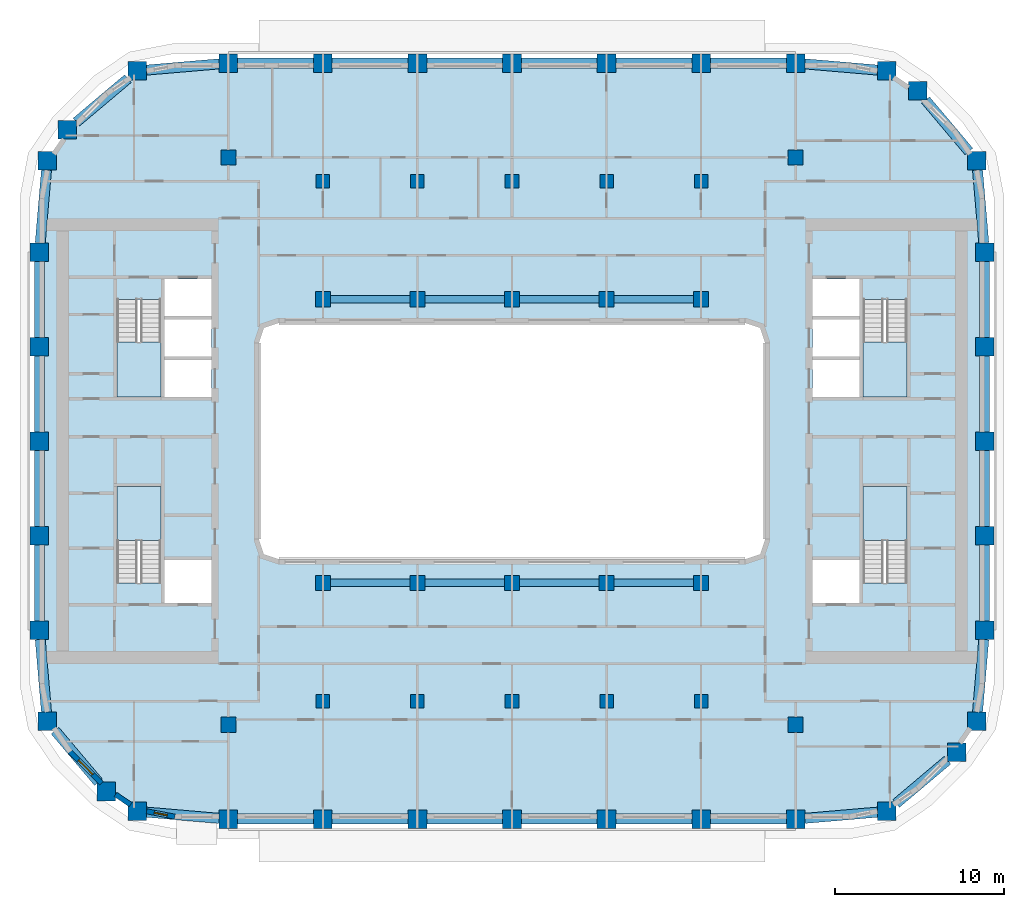
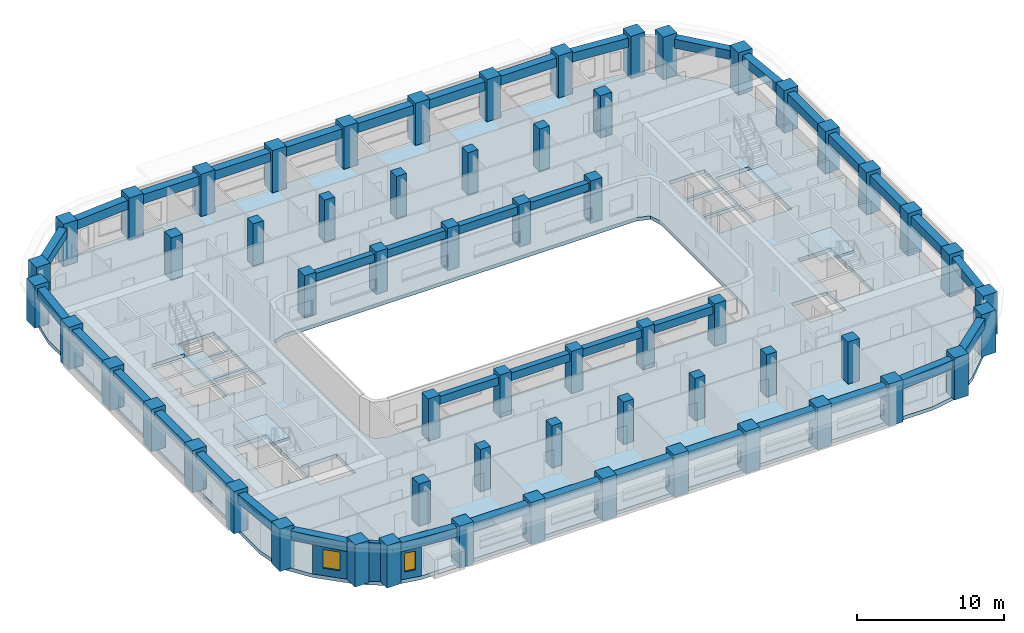
# One storey, part 1 of 22: 60 columns, 40 beams, 5 slabs, 3 walls, 2 windows, 2 openings, 4 elements without a shape of their own.
"""IFC4 building model written with IfcOpenShell, lengths in metres."""

from ifc_helpers import new_model, si_unit, direction, frame, frame_2d, origin, origin_2d, place, context, subcontext, project, spatial, polyline, rectangle, outline, extrude, material, layer, layer_set, material_profile, profile_set, type_object, element, fill, aggregate, save


model = new_model("IFC4")

# Units and contexts
model_context = context("Model", 3, precision=1e-05, world=origin(), true_north=direction((0.0, 1.0)))
body_context = subcontext(model_context, "Body", "Model", "MODEL_VIEW")
ifc_project = project(units=[si_unit("LENGTHUNIT", "METRE"), si_unit("AREAUNIT", "SQUARE_METRE"), si_unit("VOLUMEUNIT", "CUBIC_METRE"), si_unit("PLANEANGLEUNIT", "RADIAN"), si_unit("MASSUNIT", "GRAM", prefix="KILO")], contexts=[model_context])

# Site, building, storey
site_placement = place(None, origin())
site = spatial("IfcSite", under=ifc_project, at=site_placement, CompositionType="ELEMENT")
building_placement = place(site_placement, origin())
building = spatial("IfcBuilding", under=site, at=building_placement, Name="Kiln Ring Residences", CompositionType="ELEMENT")
storey_placement = place(building_placement, frame((0.0, 0.0, 146.60009765625)))
storey = spatial("IfcBuildingStorey", under=building, at=storey_placement, Name="L37", CompositionType="ELEMENT", Elevation=146.60009765625)

# Columns
ifc_material_1 = material(Name="Concrete C70/85", Category="concrete")
ifc_material_profile_1 = material_profile(ifc_material_1, rectangle(XDim=0.800048828125, YDim=0.800048828125, at=origin_2d()), Name="RC800x800")
ifc_profile_set_1 = profile_set([ifc_material_profile_1], Name="Concrete C70/85")
column_type_1 = type_object("IfcColumnType", Name="Corridor column RC800x800 C70/85", PredefinedType="COLUMN", material=ifc_profile_set_1)
for number, where, z_axis, x_axis, name in (
    (1, (-11.199951171875, 15.39990234375, 0.0), (0.0, 0.0, 1.0), (1.0, 0.0, 0.0), "Corridor column L37 1"),
    (2, (-5.60009765625, 15.39990234375, 0.0), (0.0, 0.0, 1.0), (1.0, 0.0, 0.0), "Corridor column L37 2"),
    (3, (0.0, 15.39990234375, 0.0), (0.0, 0.0, 1.0), (1.0, 0.0, 0.0), "Corridor column L37 3"),
    (4, (5.60009765625, 15.39990234375, 0.0), (0.0, 0.0, 1.0), (1.0, 0.0, 0.0), "Corridor column L37 4"),
    (5, (11.199951171875, 15.39990234375, 0.0), (0.0, 0.0, 1.0), (1.0, 0.0, 0.0), "Corridor column L37 5"),
    (6, (-11.199951171875, -15.39990234375, 0.0), (0.0, 0.0, 1.0), (1.0, 0.0, 0.0), "Corridor column L37 6"),
    (7, (-5.60009765625, -15.39990234375, 0.0), (0.0, 0.0, 1.0), (1.0, 0.0, 0.0), "Corridor column L37 7"),
    (8, (0.0, -15.39990234375, 0.0), (0.0, 0.0, 1.0), (1.0, 0.0, 0.0), "Corridor column L37 8"),
    (9, (5.60009765625, -15.39990234375, 0.0), (0.0, 0.0, 1.0), (1.0, 0.0, 0.0), "Corridor column L37 9"),
    (10, (11.199951171875, -15.39990234375, 0.0), (0.0, 0.0, 1.0), (1.0, 0.0, 0.0), "Corridor column L37 10"),
):
    element("IfcColumn", number, at=place(storey_placement, frame(where, z_axis=z_axis, x_axis=x_axis)), inside=storey, type_object=column_type_1, Name=name, PredefinedType="COLUMN", context=body_context, shape_type="SweptSolid", body=[
        extrude(rectangle(XDim=0.800048828125, YDim=0.800048828125, at=origin_2d()), origin(), (0.0, 0.0, 1.0), 3.5),
    ])
ifc_material_2 = material(Name="Concrete C70/85", Category="concrete")
ifc_material_profile_2 = material_profile(ifc_material_2, rectangle(XDim=1.10009765625, YDim=1.10009765625, at=origin_2d()), Name="RC1100x1100")
ifc_profile_set_2 = profile_set([ifc_material_profile_2], Name="Concrete C70/85")
column_type_2 = type_object("IfcColumnType", Name="Perimeter column RC1100x1100 C70/85", PredefinedType="COLUMN", material=ifc_profile_set_2)
for number, where, z_axis, x_axis, name in (
    (11, (-22.208740234375, -21.93798828125, 0.0), (0.0, 0.0, 1.0), (1.0, 0.0, 0.0), "Perimeter column L37 1"),
    (12, (-16.800048828125, -22.39990234375, 0.0), (0.0, 0.0, 1.0), (1.0, 0.0, 0.0), "Perimeter column L37 2"),
    (13, (-11.199951171875, -22.39990234375, 0.0), (0.0, 0.0, 1.0), (1.0, 0.0, 0.0), "Perimeter column L37 3"),
    (14, (-5.60009765625, -22.39990234375, 0.0), (0.0, 0.0, 1.0), (1.0, 0.0, 0.0), "Perimeter column L37 4"),
    (15, (0.0, -22.39990234375, 0.0), (0.0, 0.0, 1.0), (1.0, 0.0, 0.0), "Perimeter column L37 5"),
    (16, (5.60009765625, -22.39990234375, 0.0), (0.0, 0.0, 1.0), (1.0, 0.0, 0.0), "Perimeter column L37 6"),
    (17, (11.199951171875, -22.39990234375, 0.0), (0.0, 0.0, 1.0), (1.0, 0.0, 0.0), "Perimeter column L37 7"),
    (18, (16.800048828125, -22.39990234375, 0.0), (0.0, 0.0, 1.0), (1.0, 0.0, 0.0), "Perimeter column L37 8"),
    (19, (22.208740234375, -21.93798828125, 0.0), (0.0, 0.0, 1.0), (1.0, 0.0, 0.0), "Perimeter column L37 9"),
    (20, (26.35986328125, -18.440185546875, 0.0), (0.0, 0.0, 1.0), (1.0, 0.0, 0.0), "Perimeter column L37 10"),
    (21, (27.5380859375, -16.608642578125, 0.0), (0.0, 0.0, 1.0), (1.0, 0.0, 0.0), "Perimeter column L37 11"),
    (22, (28.0, -11.199951171875, 0.0), (0.0, 0.0, 1.0), (1.0, 0.0, 0.0), "Perimeter column L37 12"),
    (23, (28.0, -5.60009765625, 0.0), (0.0, 0.0, 1.0), (1.0, 0.0, 0.0), "Perimeter column L37 13"),
    (24, (28.0, 0.0, 0.0), (0.0, 0.0, 1.0), (1.0, 0.0, 0.0), "Perimeter column L37 14"),
    (25, (28.0, 5.60009765625, 0.0), (0.0, 0.0, 1.0), (1.0, 0.0, 0.0), "Perimeter column L37 15"),
    (26, (28.0, 11.199951171875, 0.0), (0.0, 0.0, 1.0), (1.0, 0.0, 0.0), "Perimeter column L37 16"),
    (27, (27.5380859375, 16.608642578125, 0.0), (0.0, 0.0, 1.0), (1.0, 0.0, 0.0), "Perimeter column L37 17"),
    (28, (24.040283203125, 20.759765625, 0.0), (0.0, 0.0, 1.0), (1.0, 0.0, 0.0), "Perimeter column L37 18"),
    (29, (22.208740234375, 21.93798828125, 0.0), (0.0, 0.0, 1.0), (1.0, 0.0, 0.0), "Perimeter column L37 19"),
    (30, (16.800048828125, 22.39990234375, 0.0), (0.0, 0.0, 1.0), (1.0, 0.0, 0.0), "Perimeter column L37 20"),
    (31, (11.199951171875, 22.39990234375, 0.0), (0.0, 0.0, 1.0), (1.0, 0.0, 0.0), "Perimeter column L37 21"),
    (32, (5.60009765625, 22.39990234375, 0.0), (0.0, 0.0, 1.0), (1.0, 0.0, 0.0), "Perimeter column L37 22"),
    (33, (0.0, 22.39990234375, 0.0), (0.0, 0.0, 1.0), (1.0, 0.0, 0.0), "Perimeter column L37 23"),
    (34, (-5.60009765625, 22.39990234375, 0.0), (0.0, 0.0, 1.0), (1.0, 0.0, 0.0), "Perimeter column L37 24"),
    (35, (-11.199951171875, 22.39990234375, 0.0), (0.0, 0.0, 1.0), (1.0, 0.0, 0.0), "Perimeter column L37 25"),
    (36, (-16.800048828125, 22.39990234375, 0.0), (0.0, 0.0, 1.0), (1.0, 0.0, 0.0), "Perimeter column L37 26"),
    (37, (-22.208740234375, 21.93798828125, 0.0), (0.0, 0.0, 1.0), (1.0, 0.0, 0.0), "Perimeter column L37 27"),
    (38, (-26.35986328125, 18.440185546875, 0.0), (0.0, 0.0, 1.0), (1.0, 0.0, 0.0), "Perimeter column L37 28"),
    (39, (-27.5380859375, 16.608642578125, 0.0), (0.0, 0.0, 1.0), (1.0, 0.0, 0.0), "Perimeter column L37 29"),
    (40, (-28.0, 11.199951171875, 0.0), (0.0, 0.0, 1.0), (1.0, 0.0, 0.0), "Perimeter column L37 30"),
    (41, (-28.0, 5.60009765625, 0.0), (0.0, 0.0, 1.0), (1.0, 0.0, 0.0), "Perimeter column L37 31"),
    (42, (-28.0, 0.0, 0.0), (0.0, 0.0, 1.0), (1.0, 0.0, 0.0), "Perimeter column L37 32"),
    (43, (-28.0, -5.60009765625, 0.0), (0.0, 0.0, 1.0), (1.0, 0.0, 0.0), "Perimeter column L37 33"),
    (44, (-28.0, -11.199951171875, 0.0), (0.0, 0.0, 1.0), (1.0, 0.0, 0.0), "Perimeter column L37 34"),
    (45, (-27.5380859375, -16.608642578125, 0.0), (0.0, 0.0, 1.0), (1.0, 0.0, 0.0), "Perimeter column L37 35"),
    (46, (-24.040283203125, -20.759765625, 0.0), (0.0, 0.0, 1.0), (1.0, 0.0, 0.0), "Perimeter column L37 36"),
):
    element("IfcColumn", number, at=place(storey_placement, frame(where, z_axis=z_axis, x_axis=x_axis)), inside=storey, type_object=column_type_2, Name=name, PredefinedType="COLUMN", context=body_context, shape_type="SweptSolid", body=[
        extrude(rectangle(XDim=1.10009765625, YDim=1.10009765625, at=origin_2d()), origin(), (0.0, 0.0, 1.0), 3.5),
    ])
ifc_material_3 = material(Name="Concrete C70/85", Category="concrete")
ifc_material_profile_3 = material_profile(ifc_material_3, rectangle(XDim=0.89990234375, YDim=0.89990234375, at=origin_2d()), Name="RC900x900")
ifc_profile_set_3 = profile_set([ifc_material_profile_3], Name="Concrete C70/85")
column_type_3 = type_object("IfcColumnType", Name="Ring column RC900x900 C70/85", PredefinedType="COLUMN", material=ifc_profile_set_3)
for number, where, z_axis, x_axis, name in (
    (47, (-16.800048828125, -16.800048828125, 0.0), (0.0, 0.0, 1.0), (1.0, 0.0, 0.0), "Ring column L37 1"),
    (48, (-16.800048828125, 16.800048828125, 0.0), (0.0, 0.0, 1.0), (1.0, 0.0, 0.0), "Ring column L37 2"),
    (49, (-11.199951171875, -8.39990234375, 0.0), (0.0, 0.0, 1.0), (1.0, 0.0, 0.0), "Ring column L37 3"),
    (50, (-11.199951171875, 8.39990234375, 0.0), (0.0, 0.0, 1.0), (1.0, 0.0, 0.0), "Ring column L37 4"),
    (51, (-5.60009765625, -8.39990234375, 0.0), (0.0, 0.0, 1.0), (1.0, 0.0, 0.0), "Ring column L37 5"),
    (52, (-5.60009765625, 8.39990234375, 0.0), (0.0, 0.0, 1.0), (1.0, 0.0, 0.0), "Ring column L37 6"),
    (53, (0.0, -8.39990234375, 0.0), (0.0, 0.0, 1.0), (1.0, 0.0, 0.0), "Ring column L37 7"),
    (54, (0.0, 8.39990234375, 0.0), (0.0, 0.0, 1.0), (1.0, 0.0, 0.0), "Ring column L37 8"),
    (55, (5.60009765625, -8.39990234375, 0.0), (0.0, 0.0, 1.0), (1.0, 0.0, 0.0), "Ring column L37 9"),
    (56, (5.60009765625, 8.39990234375, 0.0), (0.0, 0.0, 1.0), (1.0, 0.0, 0.0), "Ring column L37 10"),
    (57, (11.199951171875, -8.39990234375, 0.0), (0.0, 0.0, 1.0), (1.0, 0.0, 0.0), "Ring column L37 11"),
    (58, (11.199951171875, 8.39990234375, 0.0), (0.0, 0.0, 1.0), (1.0, 0.0, 0.0), "Ring column L37 12"),
    (59, (16.800048828125, -16.800048828125, 0.0), (0.0, 0.0, 1.0), (1.0, 0.0, 0.0), "Ring column L37 13"),
    (60, (16.800048828125, 16.800048828125, 0.0), (0.0, 0.0, 1.0), (1.0, 0.0, 0.0), "Ring column L37 14"),
):
    element("IfcColumn", number, at=place(storey_placement, frame(where, z_axis=z_axis, x_axis=x_axis)), inside=storey, type_object=column_type_3, Name=name, PredefinedType="COLUMN", context=body_context, shape_type="SweptSolid", body=[
        extrude(rectangle(XDim=0.89990234375, YDim=0.89990234375, at=origin_2d()), origin(), (0.0, 0.0, 1.0), 3.5),
    ])

# Beams
ifc_material_4 = material(Name="Concrete C50/60", Category="concrete")
ifc_material_profile_4 = material_profile(ifc_material_4, rectangle(XDim=0.449951171875, YDim=0.64990234375, at=origin_2d()), Name="RC450x650")
ifc_profile_set_4 = profile_set([ifc_material_profile_4], Name="Concrete C50/60")
beam_type_1 = type_object("IfcBeamType", Name="Ring beam RC450x650 C50/60", PredefinedType="BEAM", material=ifc_profile_set_4)
for number, where, z_axis, x_axis, name in (
    (61, (-10.75, -8.39990234375, 2.875), (1.0, 0.0, 0.0), (0.0, 1.0, 0.0), "Ring beam L37 1"),
    (62, (-5.14990234375, -8.39990234375, 2.875), (1.0, 0.0, 0.0), (0.0, 1.0, 0.0), "Ring beam L37 2"),
    (63, (0.449951171875, -8.39990234375, 2.875), (1.0, 0.0, 0.0), (0.0, 1.0, 0.0), "Ring beam L37 3"),
    (64, (6.050048828125, -8.39990234375, 2.875), (1.0, 0.0, 0.0), (0.0, 1.0, 0.0), "Ring beam L37 4"),
    (65, (-10.75, 8.39990234375, 2.875), (1.0, 0.0, 0.0), (0.0, 1.0, 0.0), "Ring beam L37 5"),
    (66, (-5.14990234375, 8.39990234375, 2.875), (1.0, 0.0, 0.0), (0.0, 1.0, 0.0), "Ring beam L37 6"),
    (67, (0.449951171875, 8.39990234375, 2.875), (1.0, 0.0, 0.0), (0.0, 1.0, 0.0), "Ring beam L37 7"),
    (68, (6.050048828125, 8.39990234375, 2.875), (1.0, 0.0, 0.0), (0.0, 1.0, 0.0), "Ring beam L37 8"),
):
    element("IfcBeam", number, at=place(storey_placement, frame(where, z_axis=z_axis, x_axis=x_axis)), inside=storey, type_object=beam_type_1, Name=name, PredefinedType="BEAM", context=body_context, shape_type="SweptSolid", body=[
        extrude(rectangle(XDim=0.449951171875, YDim=0.64990234375, at=origin_2d()), origin(), (0.0, 0.0, 1.0), 4.699951171875),
    ])
ifc_material_5 = material(Name="Concrete C50/60", Category="concrete")
ifc_material_profile_5 = material_profile(ifc_material_5, rectangle(XDim=0.60009765625, YDim=0.75, at=origin_2d()), Name="RC600x750")
ifc_profile_set_5 = profile_set([ifc_material_profile_5], Name="Concrete C50/60")
beam_type_2 = type_object("IfcBeamType", Name="Spandrel beam RC600x750 C50/60", PredefinedType="SPANDREL", material=ifc_profile_set_5)
beam_1_placement = place(storey_placement, frame((-21.65869140625, -21.985107421875, 2.824951171875), z_axis=(0.996373912127, -0.085082473117, 0.0), x_axis=(0.085082473117, 0.996373912127, 0.0)))
element("IfcBeam", 69, at=beam_1_placement, inside=storey, type_object=beam_type_2, Name="Spandrel beam L37 1", PredefinedType="SPANDREL", context=body_context, shape_type="SweptSolid", body=[
    extrude(rectangle(XDim=0.60009765625, YDim=0.75, at=origin_2d()), origin(), (0.0, 0.0, 1.0), 4.32421875),
])
for number, where, z_axis, x_axis, name in (
    (70, (-16.25, -22.39990234375, 2.824951171875), (1.0, 0.0, 0.0), (0.0, 1.0, 0.0), "Spandrel beam L37 2"),
    (71, (-10.64990234375, -22.39990234375, 2.824951171875), (1.0, 0.0, 0.0), (0.0, 1.0, 0.0), "Spandrel beam L37 3"),
    (72, (-5.050048828125, -22.39990234375, 2.824951171875), (1.0, 0.0, 0.0), (0.0, 1.0, 0.0), "Spandrel beam L37 4"),
    (73, (0.550048828125, -22.39990234375, 2.824951171875), (1.0, 0.0, 0.0), (0.0, 1.0, 0.0), "Spandrel beam L37 5"),
    (74, (6.14990234375, -22.39990234375, 2.824951171875), (1.0, 0.0, 0.0), (0.0, 1.0, 0.0), "Spandrel beam L37 6"),
    (75, (11.75, -22.39990234375, 2.824951171875), (1.0, 0.0, 0.0), (0.0, 1.0, 0.0), "Spandrel beam L37 7"),
):
    element("IfcBeam", number, at=place(storey_placement, frame(where, z_axis=z_axis, x_axis=x_axis)), inside=storey, type_object=beam_type_2, Name=name, PredefinedType="SPANDREL", context=body_context, shape_type="SweptSolid", body=[
        extrude(rectangle(XDim=0.60009765625, YDim=0.75, at=origin_2d()), origin(), (0.0, 0.0, 1.0), 4.5),
    ])
beam_2_placement = place(storey_placement, frame((17.35009765625, -22.35302734375, 2.824951171875), z_axis=(0.996373912127, 0.085082473117, 0.0), x_axis=(-0.085082473117, 0.996373912127, 0.0)))
element("IfcBeam", 76, at=beam_2_placement, inside=storey, type_object=beam_type_2, Name="Spandrel beam L37 8", PredefinedType="SPANDREL", context=body_context, shape_type="SweptSolid", body=[
    extrude(rectangle(XDim=0.60009765625, YDim=0.75, at=origin_2d()), origin(), (0.0, 0.0, 1.0), 4.32421875),
])
beam_3_placement = place(storey_placement, frame((22.7587890625, -21.474609375, 2.824951171875), z_axis=(0.764693765756, 0.6443938583, 0.0), x_axis=(-0.6443938583, 0.764693765756, 0.0)))
element("IfcBeam", 77, at=beam_3_placement, inside=storey, type_object=beam_type_2, Name="Spandrel beam L37 9", PredefinedType="SPANDREL", context=body_context, shape_type="SweptSolid", body=[
    extrude(rectangle(XDim=0.60009765625, YDim=0.75, at=origin_2d()), origin(), (0.0, 0.0, 1.0), 3.98974609375),
])
beam_4_placement = place(storey_placement, frame((27.5849609375, -16.05859375, 2.824951171875), z_axis=(0.085138522188, 0.996369124391, 0.0), x_axis=(-0.996369124391, 0.085138522188, 0.0)))
element("IfcBeam", 78, at=beam_4_placement, inside=storey, type_object=beam_type_2, Name="Spandrel beam L37 10", PredefinedType="SPANDREL", context=body_context, shape_type="SweptSolid", body=[
    extrude(rectangle(XDim=0.60009765625, YDim=0.75, at=origin_2d()), origin(), (0.0, 0.0, 1.0), 4.32421875),
])
for number, where, z_axis, x_axis, name in (
    (79, (28.0, -10.64990234375, 2.824951171875), (0.0, 1.0, 0.0), (-1.0, 0.0, 0.0), "Spandrel beam L37 11"),
    (80, (28.0, -5.050048828125, 2.824951171875), (0.0, 1.0, 0.0), (-1.0, 0.0, 0.0), "Spandrel beam L37 12"),
    (81, (28.0, 0.550048828125, 2.824951171875), (0.0, 1.0, 0.0), (-1.0, 0.0, 0.0), "Spandrel beam L37 13"),
    (82, (28.0, 6.14990234375, 2.824951171875), (0.0, 1.0, 0.0), (-1.0, 0.0, 0.0), "Spandrel beam L37 14"),
):
    element("IfcBeam", number, at=place(storey_placement, frame(where, z_axis=z_axis, x_axis=x_axis)), inside=storey, type_object=beam_type_2, Name=name, PredefinedType="SPANDREL", context=body_context, shape_type="SweptSolid", body=[
        extrude(rectangle(XDim=0.60009765625, YDim=0.75, at=origin_2d()), origin(), (0.0, 0.0, 1.0), 4.5),
    ])
beam_5_placement = place(storey_placement, frame((27.953125, 11.75, 2.824951171875), z_axis=(-0.085138522188, 0.996369124391, 0.0), x_axis=(-0.996369124391, -0.085138522188, 0.0)))
element("IfcBeam", 83, at=beam_5_placement, inside=storey, type_object=beam_type_2, Name="Spandrel beam L37 15", PredefinedType="SPANDREL", context=body_context, shape_type="SweptSolid", body=[
    extrude(rectangle(XDim=0.60009765625, YDim=0.75, at=origin_2d()), origin(), (0.0, 0.0, 1.0), 4.32421875),
])
beam_6_placement = place(storey_placement, frame((27.07470703125, 17.15869140625, 2.824951171875), z_axis=(-0.6443938583, 0.764693765756, 0.0), x_axis=(-0.764693765756, -0.6443938583, 0.0)))
element("IfcBeam", 84, at=beam_6_placement, inside=storey, type_object=beam_type_2, Name="Spandrel beam L37 16", PredefinedType="SPANDREL", context=body_context, shape_type="SweptSolid", body=[
    extrude(rectangle(XDim=0.60009765625, YDim=0.75, at=origin_2d()), origin(), (0.0, 0.0, 1.0), 3.98974609375),
])
beam_7_placement = place(storey_placement, frame((21.65869140625, 21.985107421875, 2.824951171875), z_axis=(-0.996373912127, 0.085082473117, 0.0), x_axis=(-0.085082473117, -0.996373912127, 0.0)))
element("IfcBeam", 85, at=beam_7_placement, inside=storey, type_object=beam_type_2, Name="Spandrel beam L37 17", PredefinedType="SPANDREL", context=body_context, shape_type="SweptSolid", body=[
    extrude(rectangle(XDim=0.60009765625, YDim=0.75, at=origin_2d()), origin(), (0.0, 0.0, 1.0), 4.32421875),
])
for number, where, z_axis, x_axis, name in (
    (86, (16.25, 22.39990234375, 2.824951171875), (-1.0, 0.0, 0.0), (0.0, -1.0, 0.0), "Spandrel beam L37 18"),
    (87, (10.64990234375, 22.39990234375, 2.824951171875), (-1.0, 0.0, 0.0), (0.0, -1.0, 0.0), "Spandrel beam L37 19"),
    (88, (5.050048828125, 22.39990234375, 2.824951171875), (-1.0, 0.0, 0.0), (0.0, -1.0, 0.0), "Spandrel beam L37 20"),
    (89, (-0.550048828125, 22.39990234375, 2.824951171875), (-1.0, 0.0, 0.0), (0.0, -1.0, 0.0), "Spandrel beam L37 21"),
    (90, (-6.14990234375, 22.39990234375, 2.824951171875), (-1.0, 0.0, 0.0), (0.0, -1.0, 0.0), "Spandrel beam L37 22"),
    (91, (-11.75, 22.39990234375, 2.824951171875), (-1.0, 0.0, 0.0), (0.0, -1.0, 0.0), "Spandrel beam L37 23"),
):
    element("IfcBeam", number, at=place(storey_placement, frame(where, z_axis=z_axis, x_axis=x_axis)), inside=storey, type_object=beam_type_2, Name=name, PredefinedType="SPANDREL", context=body_context, shape_type="SweptSolid", body=[
        extrude(rectangle(XDim=0.60009765625, YDim=0.75, at=origin_2d()), origin(), (0.0, 0.0, 1.0), 4.5),
    ])
beam_8_placement = place(storey_placement, frame((-17.35009765625, 22.35302734375, 2.824951171875), z_axis=(-0.996373912127, -0.085082473117, 0.0), x_axis=(0.085082473117, -0.996373912127, 0.0)))
element("IfcBeam", 92, at=beam_8_placement, inside=storey, type_object=beam_type_2, Name="Spandrel beam L37 24", PredefinedType="SPANDREL", context=body_context, shape_type="SweptSolid", body=[
    extrude(rectangle(XDim=0.60009765625, YDim=0.75, at=origin_2d()), origin(), (0.0, 0.0, 1.0), 4.32421875),
])
beam_9_placement = place(storey_placement, frame((-22.7587890625, 21.474609375, 2.824951171875), z_axis=(-0.764693765756, -0.6443938583, 0.0), x_axis=(0.6443938583, -0.764693765756, 0.0)))
element("IfcBeam", 93, at=beam_9_placement, inside=storey, type_object=beam_type_2, Name="Spandrel beam L37 25", PredefinedType="SPANDREL", context=body_context, shape_type="SweptSolid", body=[
    extrude(rectangle(XDim=0.60009765625, YDim=0.75, at=origin_2d()), origin(), (0.0, 0.0, 1.0), 3.98974609375),
])
beam_10_placement = place(storey_placement, frame((-27.5849609375, 16.05859375, 2.824951171875), z_axis=(-0.085138522188, -0.996369124391, 0.0), x_axis=(0.996369124391, -0.085138522188, 0.0)))
element("IfcBeam", 94, at=beam_10_placement, inside=storey, type_object=beam_type_2, Name="Spandrel beam L37 26", PredefinedType="SPANDREL", context=body_context, shape_type="SweptSolid", body=[
    extrude(rectangle(XDim=0.60009765625, YDim=0.75, at=origin_2d()), origin(), (0.0, 0.0, 1.0), 4.32421875),
])
for number, where, z_axis, x_axis, name in (
    (95, (-28.0, 10.64990234375, 2.824951171875), (0.0, -1.0, 0.0), (1.0, 0.0, 0.0), "Spandrel beam L37 27"),
    (96, (-28.0, 5.050048828125, 2.824951171875), (0.0, -1.0, 0.0), (1.0, 0.0, 0.0), "Spandrel beam L37 28"),
    (97, (-28.0, -0.550048828125, 2.824951171875), (0.0, -1.0, 0.0), (1.0, 0.0, 0.0), "Spandrel beam L37 29"),
    (98, (-28.0, -6.14990234375, 2.824951171875), (0.0, -1.0, 0.0), (1.0, 0.0, 0.0), "Spandrel beam L37 30"),
):
    element("IfcBeam", number, at=place(storey_placement, frame(where, z_axis=z_axis, x_axis=x_axis)), inside=storey, type_object=beam_type_2, Name=name, PredefinedType="SPANDREL", context=body_context, shape_type="SweptSolid", body=[
        extrude(rectangle(XDim=0.60009765625, YDim=0.75, at=origin_2d()), origin(), (0.0, 0.0, 1.0), 4.5),
    ])
beam_11_placement = place(storey_placement, frame((-27.953125, -11.75, 2.824951171875), z_axis=(0.085138522188, -0.996369124391, 0.0), x_axis=(0.996369124391, 0.085138522188, 0.0)))
element("IfcBeam", 99, at=beam_11_placement, inside=storey, type_object=beam_type_2, Name="Spandrel beam L37 31", PredefinedType="SPANDREL", context=body_context, shape_type="SweptSolid", body=[
    extrude(rectangle(XDim=0.60009765625, YDim=0.75, at=origin_2d()), origin(), (0.0, 0.0, 1.0), 4.32421875),
])
beam_12_placement = place(storey_placement, frame((-27.07470703125, -17.15869140625, 2.824951171875), z_axis=(0.6443938583, -0.764693765756, 0.0), x_axis=(0.764693765756, 0.6443938583, 0.0)))
element("IfcBeam", 100, at=beam_12_placement, inside=storey, type_object=beam_type_2, Name="Spandrel beam L37 32", PredefinedType="SPANDREL", context=body_context, shape_type="SweptSolid", body=[
    extrude(rectangle(XDim=0.60009765625, YDim=0.75, at=origin_2d()), origin(), (0.0, 0.0, 1.0), 3.98974609375),
])

# Stair, slab
ifc_material_6 = material(Name="Concrete C40/50", Category="concrete")
stair_type = type_object("IfcStairType", Name="CORE-STAIR", PredefinedType="HALF_TURN_STAIR", material=ifc_material_6)
placement_1 = place(storey_placement, origin())
stair_1 = element("IfcStair", 101, at=placement_1, inside=storey, type_object=stair_type, Name="L37 stair W-STN", PredefinedType="HALF_TURN_STAIR")
ifc_material_7 = material(Name="Concrete C40/50", Category="concrete")
ifc_layer_1 = layer(ifc_material_7, 0.199951171875)
ifc_layer_set_1 = layer_set([ifc_layer_1], Name="CORE-STAIR-LANDING")
slab_type_1 = type_object("IfcSlabType", Name="CORE-STAIR-LANDING", PredefinedType="LANDING", material=ifc_layer_set_1)
placement_2 = place(storey_placement, frame((0.0, 0.0, 1.5498046875)))
slab_1 = element("IfcSlab", 102, at=placement_2, type_object=slab_type_1, Name="W-STN landing 1", PredefinedType="LANDING", context=body_context, shape_type="SweptSolid", body=[
    extrude(outline(polyline([(-23.39990234375, 5.8798828125), (-23.39990234375, 2.60009765625), (-20.800048828125, 2.60009765625), (-20.800048828125, 5.8798828125), (-23.39990234375, 5.8798828125)])), origin(), (0.0, 0.0, 1.0), 0.2001953125),
])
aggregate(stair_1, [slab_1])

stair_2 = element("IfcStair", 103, at=placement_1, inside=storey, type_object=stair_type, Name="L37 stair W-STS", PredefinedType="HALF_TURN_STAIR")
slab_2 = element("IfcSlab", 104, at=placement_2, type_object=slab_type_1, Name="W-STS landing 1", PredefinedType="LANDING", context=body_context, shape_type="SweptSolid", body=[
    extrude(outline(polyline([(-20.800048828125, -5.8798828125), (-20.800048828125, -2.699951171875), (-23.39990234375, -2.699951171875), (-23.39990234375, -5.8798828125), (-20.800048828125, -5.8798828125)])), origin(), (0.0, 0.0, 1.0), 0.2001953125),
])
aggregate(stair_2, [slab_2])

stair_3 = element("IfcStair", 105, at=placement_1, inside=storey, type_object=stair_type, Name="L37 stair E-STN", PredefinedType="HALF_TURN_STAIR")
slab_3 = element("IfcSlab", 106, at=placement_2, type_object=slab_type_1, Name="E-STN landing 1", PredefinedType="LANDING", context=body_context, shape_type="SweptSolid", body=[
    extrude(outline(polyline([(20.800048828125, 5.8798828125), (20.800048828125, 2.60009765625), (23.39990234375, 2.60009765625), (23.39990234375, 5.8798828125), (20.800048828125, 5.8798828125)])), origin(), (0.0, 0.0, 1.0), 0.2001953125),
])
aggregate(stair_3, [slab_3])

stair_4 = element("IfcStair", 107, at=placement_1, inside=storey, type_object=stair_type, Name="L37 stair E-STS", PredefinedType="HALF_TURN_STAIR")
slab_4 = element("IfcSlab", 108, at=placement_2, type_object=slab_type_1, Name="E-STS landing 1", PredefinedType="LANDING", context=body_context, shape_type="SweptSolid", body=[
    extrude(outline(polyline([(23.39990234375, -5.8798828125), (23.39990234375, -2.699951171875), (20.800048828125, -2.699951171875), (20.800048828125, -5.8798828125), (23.39990234375, -5.8798828125)])), origin(), (0.0, 0.0, 1.0), 0.2001953125),
])
aggregate(stair_4, [slab_4])

# Slab
ifc_material_8 = material(Name="Concrete C40/50", Category="concrete")
ifc_layer_2 = layer(ifc_material_8, 0.300048828125)
ifc_layer_set_2 = layer_set([ifc_layer_2], Name="Floor slab 300")
slab_type_2 = type_object("IfcSlabType", Name="Floor slab 300", PredefinedType="FLOOR", material=ifc_layer_set_2)
slab_5_placement = place(storey_placement, frame((0.0, 0.0, -0.300048828125)))
element("IfcSlab", 109, at=slab_5_placement, inside=storey, type_object=slab_type_2, Name="Floor slab L37 1", PredefinedType="FLOOR", context=body_context, shape_type="SweptSolid", body=[
    extrude(outline(polyline([(-26.302978515625, -18.4970703125), (-24.09716796875, -20.702880859375), (-22.224365234375, -21.975830078125), (-20.0, -22.39990234375), (20.0, -22.39990234375), (22.224365234375, -21.975830078125), (24.09716796875, -20.702880859375), (26.302978515625, -18.4970703125), (27.57568359375, -16.624267578125), (28.0, -14.39990234375), (28.0, 14.39990234375), (27.57568359375, 16.624267578125), (26.302978515625, 18.4970703125), (24.09716796875, 20.702880859375), (22.224365234375, 21.975830078125), (20.0, 22.39990234375), (-20.0, 22.39990234375), (-22.224365234375, 21.975830078125), (-24.09716796875, 20.702880859375), (-26.302978515625, 18.4970703125), (-27.57568359375, 16.624267578125), (-28.0, 14.39990234375), (-28.0, -14.39990234375), (-27.57568359375, -16.624267578125), (-26.302978515625, -18.4970703125)]), holes=[polyline([(-14.699951171875, -6.699951171875), (-15.0, -5.800048828125), (-15.0, 5.800048828125), (-14.699951171875, 6.699951171875), (-13.800048828125, 7.0), (13.800048828125, 7.0), (14.699951171875, 6.699951171875), (15.0, 5.800048828125), (15.0, -5.800048828125), (14.699951171875, -6.699951171875), (13.800048828125, -7.0), (-13.800048828125, -7.0), (-14.699951171875, -6.699951171875)]), polyline([(20.800048828125, -8.39794921875), (20.800048828125, -2.699951171875), (23.39990234375, -2.699951171875), (23.39990234375, -8.39794921875), (20.800048828125, -8.39794921875)]), polyline([(23.39990234375, 2.60009765625), (20.800048828125, 2.60009765625), (20.800048828125, 8.39794921875), (23.39990234375, 8.39794921875), (23.39990234375, 2.60009765625)]), polyline([(17.800048828125, 2.60009765625), (17.800048828125, 4.800048828125), (20.60009765625, 4.800048828125), (20.60009765625, 2.60009765625), (17.800048828125, 2.60009765625)]), polyline([(17.800048828125, 5.0), (17.800048828125, 7.199951171875), (20.60009765625, 7.199951171875), (20.60009765625, 5.0), (17.800048828125, 5.0)]), polyline([(17.800048828125, 7.39990234375), (17.800048828125, 9.60009765625), (20.60009765625, 9.60009765625), (20.60009765625, 7.39990234375), (17.800048828125, 7.39990234375)]), polyline([(20.60009765625, -9.60009765625), (17.800048828125, -9.60009765625), (17.800048828125, -7.050048828125), (20.60009765625, -7.050048828125), (20.60009765625, -9.60009765625)]), polyline([(-17.800048828125, -7.050048828125), (-17.800048828125, -9.60009765625), (-20.60009765625, -9.60009765625), (-20.60009765625, -7.050048828125), (-17.800048828125, -7.050048828125)]), polyline([(-17.800048828125, 2.60009765625), (-20.60009765625, 2.60009765625), (-20.60009765625, 4.800048828125), (-17.800048828125, 4.800048828125), (-17.800048828125, 2.60009765625)]), polyline([(-17.800048828125, 5.0), (-20.60009765625, 5.0), (-20.60009765625, 7.199951171875), (-17.800048828125, 7.199951171875), (-17.800048828125, 5.0)]), polyline([(-17.800048828125, 7.39990234375), (-20.60009765625, 7.39990234375), (-20.60009765625, 9.60009765625), (-17.800048828125, 9.60009765625), (-17.800048828125, 7.39990234375)]), polyline([(-20.800048828125, -8.39794921875), (-23.39990234375, -8.39794921875), (-23.39990234375, -2.699951171875), (-20.800048828125, -2.699951171875), (-20.800048828125, -8.39794921875)]), polyline([(-20.800048828125, 8.39794921875), (-20.800048828125, 2.60009765625), (-23.39990234375, 2.60009765625), (-23.39990234375, 8.39794921875), (-20.800048828125, 8.39794921875)])]), origin(), (0.0, 0.0, 1.0), 0.300048828125),
])

# Wall, opening, window
ifc_material_9 = material(Name="Brick masonry, dark clay brick", Category="masonry")
ifc_layer_3 = layer(ifc_material_9, 0.300048828125)
ifc_layer_set_3 = layer_set([ifc_layer_3], Name="EW-300 BRICK WALL")
wall_type = type_object("IfcWallType", Name="EW-300 BRICK WALL", PredefinedType="SOLIDWALL", material=ifc_layer_set_3)
wall_1_placement = place(storey_placement, frame((-26.19677734375, -18.390869140625, 0.0), z_axis=(0.0, 0.0, 1.0), x_axis=(0.707060717099, -0.707152842274, 0.0)))
wall_1 = element("IfcWall", 110, at=wall_1_placement, inside=storey, type_object=wall_type, Name="Facade wall L37 1", PredefinedType="SOLIDWALL", context=body_context, shape_type="SweptSolid", body=[
    extrude(rectangle(XDim=2.650146484375, YDim=0.300048828125, at=frame_2d((1.3251953125, 0.0))), origin(), (0.0, 0.0, 1.0), 2.449951171875),
])
opening_1_placement = place(wall_1_placement, frame((0.72509765625, 0.0, 0.60009765625)))
opening_1 = element("IfcOpeningElement", 111, at=opening_1_placement, cuts=wall_1, Name="Opening W1", PredefinedType="OPENING", context=body_context, shape_type="SweptSolid", body=[
    extrude(rectangle(XDim=1.199951171875, YDim=1.550048828125, at=frame_2d((0.60009765625, 0.77490234375))), frame((0.0, 0.159912109375, 0.0), z_axis=(0.0, -1.0, 0.0), x_axis=(1.0, 0.0, 0.0)), (0.0, 0.0, 1.0), 0.320068359375),
])
ifc_material_10 = material(Name="Aluminium frame with double glazing", Category="aluminium")
window_type_1 = type_object("IfcWindowType", Name="WINDOW 1200 x 1550", PartitioningType="SINGLE_PANEL", PredefinedType="WINDOW", material=ifc_material_10)
window_1_placement = place(opening_1_placement, origin())
window_1 = element("IfcWindow", 112, at=window_1_placement, inside=storey, type_object=window_type_1, Name="Window L37 1", OverallHeight=1.550048828125, OverallWidth=1.199951171875, PartitioningType="SINGLE_PANEL", PredefinedType="WINDOW", context=body_context, shape_type="SweptSolid", body=[
    extrude(rectangle(XDim=1.199951171875, YDim=1.550048828125, at=frame_2d((0.60009765625, 0.77490234375))), frame((0.0, 0.030029296875, 0.0), z_axis=(0.0, -1.0, 0.0), x_axis=(1.0, 0.0, 0.0)), (0.0, 0.0, 1.0), 0.06005859375),
])
fill(opening_1, window_1)

# Wall
wall_2_placement = place(storey_placement, frame((-23.492431640625, -20.932373046875, 0.0), z_axis=(0.0, 0.0, 1.0), x_axis=(0.826993959827, -0.562210806023, 0.0)))
element("IfcWall", 113, at=wall_2_placement, inside=storey, type_object=wall_type, Name="Facade wall L37 2", PredefinedType="SOLIDWALL", context=body_context, shape_type="SweptSolid", body=[
    extrude(rectangle(XDim=1.076904296875, YDim=0.300048828125, at=frame_2d((0.53857421875, 0.0))), origin(), (0.0, 0.0, 1.0), 3.199951171875),
])

# Wall, opening, window
wall_3_placement = place(storey_placement, frame((-21.647705078125, -21.93310546875, 0.0), z_axis=(0.0, 0.0, 1.0), x_axis=(0.982297206936, -0.187329114784, 0.0)))
wall_3 = element("IfcWall", 114, at=wall_3_placement, inside=storey, type_object=wall_type, Name="Facade wall L37 3", PredefinedType="SOLIDWALL", context=body_context, shape_type="SweptSolid", body=[
    extrude(rectangle(XDim=1.7060546875, YDim=0.300048828125, at=frame_2d((0.85302734375, 0.0))), origin(), (0.0, 0.0, 1.0), 2.449951171875),
])
opening_2_placement = place(wall_3_placement, frame((0.453125, 0.0, 0.60009765625)))
opening_2 = element("IfcOpeningElement", 115, at=opening_2_placement, cuts=wall_3, Name="Opening W5", PredefinedType="OPENING", context=body_context, shape_type="SweptSolid", body=[
    extrude(rectangle(XDim=0.800048828125, YDim=1.550048828125, at=frame_2d((0.39990234375, 0.77490234375))), frame((0.0, 0.159912109375, 0.0), z_axis=(0.0, -1.0, 0.0), x_axis=(1.0, 0.0, 0.0)), (0.0, 0.0, 1.0), 0.320068359375),
])
ifc_material_11 = material(Name="Aluminium frame with double glazing", Category="aluminium")
window_type_2 = type_object("IfcWindowType", Name="WINDOW 800 x 1550", PartitioningType="SINGLE_PANEL", PredefinedType="WINDOW", material=ifc_material_11)
window_2_placement = place(opening_2_placement, origin())
window_2 = element("IfcWindow", 116, at=window_2_placement, inside=storey, type_object=window_type_2, Name="Window L37 2", OverallHeight=1.550048828125, OverallWidth=0.800048828125, PartitioningType="SINGLE_PANEL", PredefinedType="WINDOW", context=body_context, shape_type="SweptSolid", body=[
    extrude(rectangle(XDim=0.800048828125, YDim=1.550048828125, at=frame_2d((0.39990234375, 0.77490234375))), frame((0.0, 0.030029296875, 0.0), z_axis=(0.0, -1.0, 0.0), x_axis=(1.0, 0.0, 0.0)), (0.0, 0.0, 1.0), 0.06005859375),
])
fill(opening_2, window_2)

save(model, "model.ifc")
